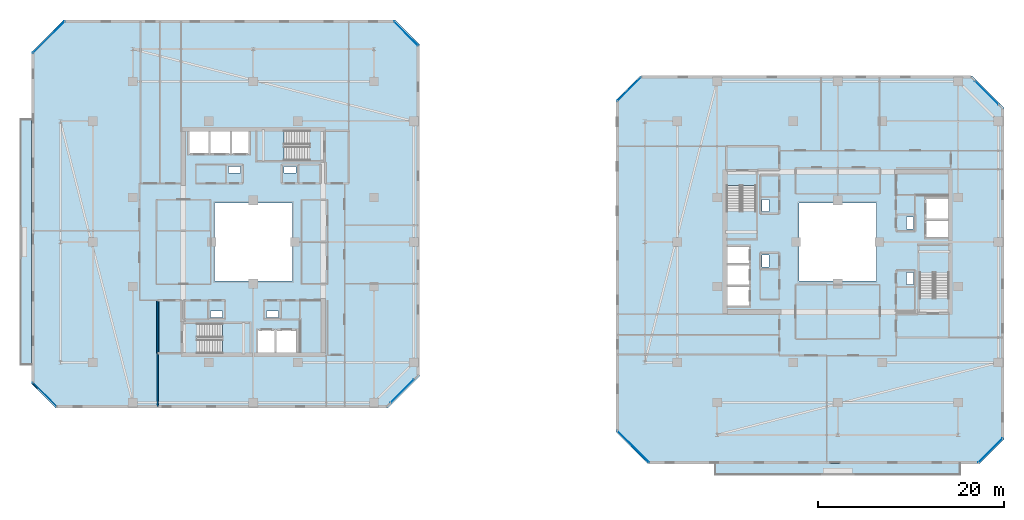
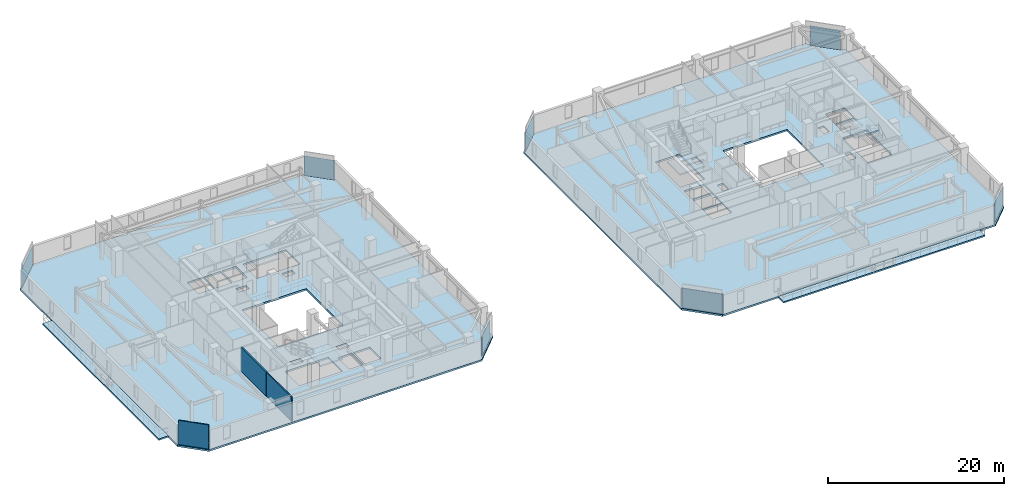
# One storey, part 18 of 33: 8 plates, 8 slabs, 3 walls, 12 elements without a shape of their own.
"""IFC4 building model written with IfcOpenShell, lengths in metres."""

from ifc_helpers import new_model, si_unit, direction, frame, frame_2d, origin, origin_2d, place, context, subcontext, project, spatial, polyline, rectangle, outline, extrude, material, layer, layer_set, type_object, element, aggregate, save


model = new_model("IFC4")

# Units and contexts
model_context = context("Model", 3, precision=1e-05, world=origin(), true_north=direction((0.0, 1.0)))
body_context = subcontext(model_context, "Body", "Model", "MODEL_VIEW")
ifc_project = project(units=[si_unit("LENGTHUNIT", "METRE"), si_unit("AREAUNIT", "SQUARE_METRE"), si_unit("VOLUMEUNIT", "CUBIC_METRE"), si_unit("PLANEANGLEUNIT", "RADIAN"), si_unit("MASSUNIT", "GRAM", prefix="KILO")], contexts=[model_context])

# Site, building, storey
site_placement = place(None, origin())
site = spatial("IfcSite", under=ifc_project, at=site_placement, CompositionType="ELEMENT")
building_placement = place(site_placement, origin())
building = spatial("IfcBuilding", under=site, at=building_placement, Name="Thornwick Lancets Civic Towers", CompositionType="ELEMENT")
storey_placement = place(building_placement, frame((0.0, 0.0, 210.89990234375)))
storey = spatial("IfcBuildingStorey", under=building, at=storey_placement, Name="L56", CompositionType="ELEMENT", Elevation=210.89990234375)

# Curtain wall, plate
ifc_material_1 = material(Name="High-zone chamfered-corner unitised glass curtain wall", Category="glass")
curtain_wall_type = type_object("IfcCurtainWallType", Name="CW_SYS_05", PredefinedType="NOTDEFINED", material=ifc_material_1)
curtain_wall_1_placement = place(storey_placement, origin())
curtain_wall_1 = element("IfcCurtainWall", 1, at=curtain_wall_1_placement, inside=storey, type_object=curtain_wall_type, Name="L56 Curtain Wall CW-L56-A-E1", PredefinedType="NOTDEFINED")
ifc_material_2 = material(Name="Low-e double glazing clear glass", Category="glass")
ifc_layer_1 = layer(ifc_material_2, 0.035888671875, Name="Low-e double glazing clear glass")
ifc_layer_set_1 = layer_set([ifc_layer_1], Name="Low-e double glazing clear glass")
plate_type = type_object("IfcPlateType", Name="CW_PNL_GLASS", PredefinedType="CURTAIN_PANEL", material=ifc_layer_set_1)
plate_1_placement = place(storey_placement, frame((41.5576171875, 10.942138671875, 0.0), z_axis=(0.0, 0.0, 1.0), x_axis=(0.707106781187, 0.707106781187, 0.0)))
plate_1 = element("IfcPlate", 2, at=plate_1_placement, type_object=plate_type, Name="CW-L56-A-E1 Panel 0", PredefinedType="CURTAIN_PANEL", context=body_context, shape_type="SweptSolid", body=[
    extrude(rectangle(XDim=3.5771484375, YDim=0.035888671875, at=origin_2d()), origin(), (0.0, 0.0, 1.0), 2.699951171875),
])
aggregate(curtain_wall_1, [plate_1])

curtain_wall_2_placement = place(storey_placement, origin())
curtain_wall_2 = element("IfcCurtainWall", 3, at=curtain_wall_2_placement, inside=storey, type_object=curtain_wall_type, Name="L56 Curtain Wall CW-L56-A-E3", PredefinedType="NOTDEFINED")
plate_2_placement = place(storey_placement, frame((41.972900390625, 49.472900390625, 0.0), z_axis=(0.0, 0.0, 1.0), x_axis=(-0.707106781187, 0.707106781187, 0.0)))
plate_2 = element("IfcPlate", 4, at=plate_2_placement, type_object=plate_type, Name="CW-L56-A-E3 Panel 0", PredefinedType="CURTAIN_PANEL", context=body_context, shape_type="SweptSolid", body=[
    extrude(rectangle(XDim=3.649169921875, YDim=0.035888671875, at=origin_2d()), origin(), (0.0, 0.0, 1.0), 2.699951171875),
])
aggregate(curtain_wall_2, [plate_2])

curtain_wall_3_placement = place(storey_placement, origin())
curtain_wall_3 = element("IfcCurtainWall", 5, at=curtain_wall_3_placement, inside=storey, type_object=curtain_wall_type, Name="L56 Curtain Wall CW-L56-A-E5", PredefinedType="NOTDEFINED")
plate_3_placement = place(storey_placement, frame((3.4423828125, 49.0576171875, 0.0), z_axis=(0.0, 0.0, 1.0), x_axis=(-0.707106781187, -0.707106781187, 0.0)))
plate_3 = element("IfcPlate", 6, at=plate_3_placement, type_object=plate_type, Name="CW-L56-A-E5 Panel 0", PredefinedType="CURTAIN_PANEL", context=body_context, shape_type="SweptSolid", body=[
    extrude(rectangle(XDim=4.816162109375, YDim=0.035888671875, at=origin_2d()), origin(), (0.0, 0.0, 1.0), 2.699951171875),
])
aggregate(curtain_wall_3, [plate_3])

curtain_wall_4_placement = place(storey_placement, origin())
curtain_wall_4 = element("IfcCurtainWall", 7, at=curtain_wall_4_placement, inside=storey, type_object=curtain_wall_type, Name="L56 Curtain Wall CW-L56-A-E7", PredefinedType="NOTDEFINED")
plate_4_placement = place(storey_placement, frame((3.027099609375, 10.527099609375, 0.0), z_axis=(0.0, 0.0, 1.0), x_axis=(0.707106781187, -0.707106781187, 0.0)))
plate_4 = element("IfcPlate", 8, at=plate_4_placement, type_object=plate_type, Name="CW-L56-A-E7 Panel 0", PredefinedType="CURTAIN_PANEL", context=body_context, shape_type="SweptSolid", body=[
    extrude(rectangle(XDim=3.649169921875, YDim=0.035888671875, at=origin_2d()), origin(), (0.0, 0.0, 1.0), 2.699951171875),
])
aggregate(curtain_wall_4, [plate_4])

curtain_wall_5_placement = place(storey_placement, origin())
curtain_wall_5 = element("IfcCurtainWall", 9, at=curtain_wall_5_placement, inside=storey, type_object=curtain_wall_type, Name="L56 Curtain Wall CW-L56-B-E1", PredefinedType="NOTDEFINED")
plate_5_placement = place(storey_placement, frame((104.972900390625, 4.527099609375, 0.0), z_axis=(0.0, 0.0, 1.0), x_axis=(0.707106781187, 0.707106781187, 0.0)))
plate_5 = element("IfcPlate", 10, at=plate_5_placement, type_object=plate_type, Name="CW-L56-B-E1 Panel 0", PredefinedType="CURTAIN_PANEL", context=body_context, shape_type="SweptSolid", body=[
    extrude(rectangle(XDim=3.649169921875, YDim=0.035888671875, at=origin_2d()), origin(), (0.0, 0.0, 1.0), 2.699951171875),
])
aggregate(curtain_wall_5, [plate_5])

curtain_wall_6_placement = place(storey_placement, origin())
curtain_wall_6 = element("IfcCurtainWall", 11, at=curtain_wall_6_placement, inside=storey, type_object=curtain_wall_type, Name="L56 Curtain Wall CW-L56-B-E3", PredefinedType="NOTDEFINED")
plate_6_placement = place(storey_placement, frame((104.5576171875, 43.0576171875, 0.0), z_axis=(0.0, 0.0, 1.0), x_axis=(-0.707106781187, 0.707106781187, 0.0)))
plate_6 = element("IfcPlate", 12, at=plate_6_placement, type_object=plate_type, Name="CW-L56-B-E3 Panel 0", PredefinedType="CURTAIN_PANEL", context=body_context, shape_type="SweptSolid", body=[
    extrude(rectangle(XDim=3.5771484375, YDim=0.035888671875, at=origin_2d()), origin(), (0.0, 0.0, 1.0), 2.699951171875),
])
aggregate(curtain_wall_6, [plate_6])

curtain_wall_7_placement = place(storey_placement, origin())
curtain_wall_7 = element("IfcCurtainWall", 13, at=curtain_wall_7_placement, inside=storey, type_object=curtain_wall_type, Name="L56 Curtain Wall CW-L56-B-E5", PredefinedType="NOTDEFINED")
plate_7_placement = place(storey_placement, frame((66.027099609375, 43.472900390625, 0.0), z_axis=(0.0, 0.0, 1.0), x_axis=(-0.707106781187, -0.707106781187, 0.0)))
plate_7 = element("IfcPlate", 14, at=plate_7_placement, type_object=plate_type, Name="CW-L56-B-E5 Panel 0", PredefinedType="CURTAIN_PANEL", context=body_context, shape_type="SweptSolid", body=[
    extrude(rectangle(XDim=3.649169921875, YDim=0.035888671875, at=origin_2d()), origin(), (0.0, 0.0, 1.0), 2.699951171875),
])
aggregate(curtain_wall_7, [plate_7])

curtain_wall_8_placement = place(storey_placement, origin())
curtain_wall_8 = element("IfcCurtainWall", 15, at=curtain_wall_8_placement, inside=storey, type_object=curtain_wall_type, Name="L56 Curtain Wall CW-L56-B-E7", PredefinedType="NOTDEFINED")
plate_8_placement = place(storey_placement, frame((66.4423828125, 4.942138671875, 0.0), z_axis=(0.0, 0.0, 1.0), x_axis=(0.707106781187, -0.707106781187, 0.0)))
plate_8 = element("IfcPlate", 16, at=plate_8_placement, type_object=plate_type, Name="CW-L56-B-E7 Panel 0", PredefinedType="CURTAIN_PANEL", context=body_context, shape_type="SweptSolid", body=[
    extrude(rectangle(XDim=4.816162109375, YDim=0.035888671875, at=origin_2d()), origin(), (0.0, 0.0, 1.0), 2.699951171875),
])
aggregate(curtain_wall_8, [plate_8])

# Slabs
ifc_material_3 = material(Name="Post-tensioned concrete C40/50", Category="concrete")
ifc_layer_2 = layer(ifc_material_3, 0.199951171875, Name="Post-tensioned concrete C40/50")
ifc_layer_set_2 = layer_set([ifc_layer_2], Name="Post-tensioned concrete C40/50")
slab_type_1 = type_object("IfcSlabType", Name="SLAB_BALCONY_200", PredefinedType="FLOOR", material=ifc_layer_set_2)
slab_1_placement = place(storey_placement, frame((0.0, 0.0, -0.199951171875)))
element("IfcSlab", 17, at=slab_1_placement, inside=storey, type_object=slab_type_1, Name="L56 Tower A Planted Balcony Slab W", PredefinedType="FLOOR", context=body_context, shape_type="SweptSolid", body=[
    extrude(outline(polyline([(0.35009765625, 13.800048828125), (1.60009765625, 13.800048828125), (1.60009765625, 40.199951171875), (0.35009765625, 40.199951171875), (0.35009765625, 13.800048828125)])), origin(), (0.0, 0.0, 1.0), 0.199951171875),
])
slab_2_placement = place(storey_placement, frame((0.0, 0.0, -0.199951171875)))
element("IfcSlab", 18, at=slab_2_placement, inside=storey, type_object=slab_type_1, Name="L56 Tower B Planted Balcony Slab S", PredefinedType="FLOOR", context=body_context, shape_type="SweptSolid", body=[
    extrude(outline(polyline([(75.300048828125, 1.85009765625), (101.699951171875, 1.85009765625), (101.699951171875, 3.10009765625), (75.300048828125, 3.10009765625), (75.300048828125, 1.85009765625)])), origin(), (0.0, 0.0, 1.0), 0.199951171875),
])

# Stair, slab
ifc_material_4 = material(Name="Concrete C40/50", Category="concrete")
stair_type = type_object("IfcStairType", Name="STAIR_DL_3600", PredefinedType="HALF_TURN_STAIR", material=ifc_material_4)
stair_1_placement = place(storey_placement, origin())
stair_1 = element("IfcStair", 19, at=stair_1_placement, inside=storey, type_object=stair_type, Name="L56 Tower A South Exit Stair ST-A1", PredefinedType="HALF_TURN_STAIR")
ifc_layer_3 = layer(ifc_material_4, 0.25, Name="Concrete C40/50")
ifc_layer_set_3 = layer_set([ifc_layer_3], Name="Concrete C40/50")
slab_type_2 = type_object("IfcSlabType", Name="SLAB_LANDING_200", PredefinedType="LANDING", material=ifc_layer_set_3)
slab_3_placement = place(storey_placement, frame((0.0, 0.0, 1.60302734375)))
slab_3 = element("IfcSlab", 20, at=slab_3_placement, type_object=slab_type_2, Name="ST-A1 landing 1", PredefinedType="LANDING", context=body_context, shape_type="SweptSolid", body=[
    extrude(outline(polyline([(22.169921875, 14.93994140625), (25.14990234375, 14.93994140625), (25.14990234375, 18.260009765625), (22.169921875, 18.260009765625), (22.169921875, 14.93994140625)])), origin(), (0.0, 0.0, 1.0), 0.199951171875),
])
aggregate(stair_1, [slab_3])

stair_2_placement = place(storey_placement, origin())
stair_2 = element("IfcStair", 21, at=stair_2_placement, inside=storey, type_object=stair_type, Name="L56 Tower A North Exit Stair ST-A2", PredefinedType="HALF_TURN_STAIR")
slab_4_placement = place(storey_placement, frame((0.0, 0.0, 1.60302734375)))
slab_4 = element("IfcSlab", 22, at=slab_4_placement, type_object=slab_type_2, Name="ST-A2 landing 1", PredefinedType="LANDING", context=body_context, shape_type="SweptSolid", body=[
    extrude(outline(polyline([(28.830078125, 39.06005859375), (25.85009765625, 39.06005859375), (25.85009765625, 35.739990234375), (28.830078125, 35.739990234375), (28.830078125, 39.06005859375)])), origin(), (0.0, 0.0, 1.0), 0.199951171875),
])
aggregate(stair_2, [slab_4])

stair_3_placement = place(storey_placement, origin())
stair_3 = element("IfcStair", 23, at=stair_3_placement, inside=storey, type_object=stair_type, Name="L56 Tower B East Exit Stair ST-B1", PredefinedType="HALF_TURN_STAIR")
slab_5_placement = place(storey_placement, frame((0.0, 0.0, 1.60302734375)))
slab_5 = element("IfcSlab", 24, at=slab_5_placement, type_object=slab_type_2, Name="ST-B1 landing 1", PredefinedType="LANDING", context=body_context, shape_type="SweptSolid", body=[
    extrude(outline(polyline([(100.56005859375, 23.669921875), (100.56005859375, 26.64990234375), (97.239990234375, 26.64990234375), (97.239990234375, 23.669921875), (100.56005859375, 23.669921875)])), origin(), (0.0, 0.0, 1.0), 0.199951171875),
])
aggregate(stair_3, [slab_5])

stair_4_placement = place(storey_placement, origin())
stair_4 = element("IfcStair", 25, at=stair_4_placement, inside=storey, type_object=stair_type, Name="L56 Tower B West Exit Stair ST-B2", PredefinedType="HALF_TURN_STAIR")
slab_6_placement = place(storey_placement, frame((0.0, 0.0, 1.60302734375)))
slab_6 = element("IfcSlab", 26, at=slab_6_placement, type_object=slab_type_2, Name="ST-B2 landing 1", PredefinedType="LANDING", context=body_context, shape_type="SweptSolid", body=[
    extrude(outline(polyline([(76.43994140625, 30.330078125), (76.43994140625, 27.35009765625), (79.760009765625, 27.35009765625), (79.760009765625, 30.330078125), (76.43994140625, 30.330078125)])), origin(), (0.0, 0.0, 1.0), 0.199951171875),
])
aggregate(stair_4, [slab_6])

# Slabs
ifc_layer_4 = layer(ifc_material_3, 0.239990234375, Name="Post-tensioned concrete C40/50")
ifc_layer_set_4 = layer_set([ifc_layer_4], Name="Post-tensioned concrete C40/50")
slab_type_3 = type_object("IfcSlabType", Name="SLAB_PT_240", PredefinedType="FLOOR", material=ifc_layer_set_4)
slab_7_placement = place(storey_placement, frame((0.0, 0.0, -0.239990234375)))
element("IfcSlab", 27, at=slab_7_placement, inside=storey, type_object=slab_type_3, Name="L56 Tower A Floor Slab", PredefinedType="FLOOR", context=body_context, shape_type="SweptSolid", body=[
    extrude(outline(polyline([(4.199951171875, 9.10009765625), (39.968994140625, 9.10009765625), (43.39990234375, 12.531005859375), (43.39990234375, 48.300048828125), (40.800048828125, 50.89990234375), (5.031005859375, 50.89990234375), (1.60009765625, 47.468994140625), (1.60009765625, 11.699951171875), (4.199951171875, 9.10009765625)]), holes=[polyline([(21.300048828125, 22.800048828125), (29.699951171875, 22.800048828125), (29.699951171875, 31.199951171875), (21.300048828125, 31.199951171875), (21.300048828125, 22.800048828125)]), polyline([(19.429931640625, 15.0), (25.10009765625, 15.0), (25.10009765625, 18.199951171875), (19.429931640625, 18.199951171875), (19.429931640625, 15.0)]), polyline([(31.570068359375, 39.0), (25.89990234375, 39.0), (25.89990234375, 35.800048828125), (31.570068359375, 35.800048828125), (31.570068359375, 39.0)]), polyline([(26.0, 15.0), (27.800048828125, 15.0), (27.800048828125, 17.550048828125), (26.0, 17.550048828125), (26.0, 15.0)]), polyline([(28.0, 15.0), (30.14990234375, 15.0), (30.14990234375, 17.550048828125), (28.0, 17.550048828125), (28.0, 15.0)]), polyline([(23.199951171875, 36.449951171875), (25.0, 36.449951171875), (25.0, 39.0), (23.199951171875, 39.0), (23.199951171875, 36.449951171875)]), polyline([(20.85009765625, 36.449951171875), (23.0, 36.449951171875), (23.0, 39.0), (20.85009765625, 39.0), (20.85009765625, 36.449951171875)]), polyline([(18.60009765625, 36.449951171875), (20.699951171875, 36.449951171875), (20.699951171875, 39.0), (18.60009765625, 39.0), (18.60009765625, 36.449951171875)]), polyline([(26.89990234375, 18.85009765625), (28.199951171875, 18.85009765625), (28.199951171875, 19.580078125), (26.89990234375, 19.580078125), (26.89990234375, 18.85009765625)]), polyline([(20.89990234375, 18.85009765625), (22.199951171875, 18.85009765625), (22.199951171875, 19.580078125), (20.89990234375, 19.580078125), (20.89990234375, 18.85009765625)]), polyline([(22.800048828125, 34.419921875), (24.10009765625, 34.419921875), (24.10009765625, 35.14990234375), (22.800048828125, 35.14990234375), (22.800048828125, 34.419921875)]), polyline([(28.800048828125, 34.419921875), (30.10009765625, 34.419921875), (30.10009765625, 35.14990234375), (28.800048828125, 35.14990234375), (28.800048828125, 34.419921875)])]), origin(), (0.0, 0.0, 1.0), 0.239990234375),
])
slab_8_placement = place(storey_placement, frame((0.0, 0.0, -0.239990234375)))
element("IfcSlab", 28, at=slab_8_placement, inside=storey, type_object=slab_type_3, Name="L56 Tower B Floor Slab", PredefinedType="FLOOR", context=body_context, shape_type="SweptSolid", body=[
    extrude(outline(polyline([(68.031005859375, 3.10009765625), (103.800048828125, 3.10009765625), (106.39990234375, 5.699951171875), (106.39990234375, 41.468994140625), (102.968994140625, 44.89990234375), (67.199951171875, 44.89990234375), (64.60009765625, 42.300048828125), (64.60009765625, 6.531005859375), (68.031005859375, 3.10009765625)]), holes=[polyline([(84.300048828125, 22.800048828125), (92.699951171875, 22.800048828125), (92.699951171875, 31.199951171875), (84.300048828125, 31.199951171875), (84.300048828125, 22.800048828125)]), polyline([(100.5, 20.929931640625), (100.5, 26.60009765625), (97.300048828125, 26.60009765625), (97.300048828125, 20.929931640625), (100.5, 20.929931640625)]), polyline([(76.5, 33.070068359375), (76.5, 27.39990234375), (79.699951171875, 27.39990234375), (79.699951171875, 33.070068359375), (76.5, 33.070068359375)]), polyline([(97.949951171875, 27.5), (100.5, 27.5), (100.5, 29.300048828125), (97.949951171875, 29.300048828125), (97.949951171875, 27.5)]), polyline([(97.949951171875, 29.5), (100.5, 29.5), (100.5, 31.64990234375), (97.949951171875, 31.64990234375), (97.949951171875, 29.5)]), polyline([(76.5, 24.699951171875), (79.050048828125, 24.699951171875), (79.050048828125, 26.5), (76.5, 26.5), (76.5, 24.699951171875)]), polyline([(76.5, 22.35009765625), (79.050048828125, 22.35009765625), (79.050048828125, 24.5), (76.5, 24.5), (76.5, 22.35009765625)]), polyline([(76.5, 20.10009765625), (79.050048828125, 20.10009765625), (79.050048828125, 22.199951171875), (76.5, 22.199951171875), (76.5, 20.10009765625)]), polyline([(95.919921875, 28.39990234375), (96.64990234375, 28.39990234375), (96.64990234375, 29.699951171875), (95.919921875, 29.699951171875), (95.919921875, 28.39990234375)]), polyline([(95.919921875, 22.39990234375), (96.64990234375, 22.39990234375), (96.64990234375, 23.699951171875), (95.919921875, 23.699951171875), (95.919921875, 22.39990234375)]), polyline([(80.35009765625, 24.300048828125), (81.080078125, 24.300048828125), (81.080078125, 25.60009765625), (80.35009765625, 25.60009765625), (80.35009765625, 24.300048828125)]), polyline([(80.35009765625, 30.300048828125), (81.080078125, 30.300048828125), (81.080078125, 31.60009765625), (80.35009765625, 31.60009765625), (80.35009765625, 30.300048828125)])]), origin(), (0.0, 0.0, 1.0), 0.239990234375),
])

# Walls
ifc_material_5 = material(Name="Concrete blockwork C40/50", Category="masonry")
ifc_layer_5 = layer(ifc_material_5, 0.199951171875, Name="Concrete blockwork C40/50")
ifc_layer_set_5 = layer_set([ifc_layer_5], Name="Concrete blockwork C40/50")
wall_type_1 = type_object("IfcWallType", Name="WALL_COMP_200", PredefinedType="STANDARD", material=ifc_layer_set_5)
wall_1_placement = place(storey_placement, frame((15.199951171875, 20.699951171875, 0.0), z_axis=(0.0, 0.0, 1.0), x_axis=(0.0, -1.0, 0.0)))
element("IfcWall", 29, at=wall_1_placement, inside=storey, type_object=wall_type_1, Name="L56 Partition L56-A-FFLOB1 E4", PredefinedType="STANDARD", context=body_context, shape_type="SweptSolid", body=[
    extrude(rectangle(XDim=5.699951171875, YDim=0.199951171875, at=frame_2d((2.85009765625, 0.0))), origin(), (0.0, 0.0, 1.0), 3.340087890625),
])
ifc_material_6 = material(Name="Acoustic gypsum board partition")
ifc_layer_6 = layer(ifc_material_6, 0.1201171875, Name="Acoustic gypsum board partition")
ifc_layer_set_6 = layer_set([ifc_layer_6], Name="Acoustic gypsum board partition")
wall_type_2 = type_object("IfcWallType", Name="WALL_PART_120", PredefinedType="PARTITIONING", material=ifc_layer_set_6)
wall_2_placement = place(storey_placement, frame((15.199951171875, 15.0, 0.0), z_axis=(0.0, 0.0, 1.0), x_axis=(0.0, -1.0, 0.0)))
element("IfcWall", 30, at=wall_2_placement, inside=storey, type_object=wall_type_2, Name="L56 Partition L56-A-W1 E7", PredefinedType="PARTITIONING", context=body_context, shape_type="SweptSolid", body=[
    extrude(rectangle(XDim=5.719970703125, YDim=0.1201171875, at=frame_2d((2.85986328125, 0.0))), origin(), (0.0, 0.0, 1.0), 3.340087890625),
])
wall_3_placement = place(storey_placement, frame((4.274658203125, 9.280029296875, 0.0), z_axis=(0.0, 0.0, 1.0), x_axis=(-0.707106781187, 0.707106781187, 0.0)))
element("IfcWall", 31, at=wall_3_placement, inside=storey, type_object=wall_type_2, Name="L56 Partition L56-A-W1 E9", PredefinedType="PARTITIONING", context=body_context, shape_type="SweptSolid", body=[
    extrude(rectangle(XDim=3.52783203125, YDim=0.1201171875, at=frame_2d((1.763916015625, 0.0))), origin(), (0.0, 0.0, 1.0), 3.340087890625),
])

save(model, "model.ifc")
